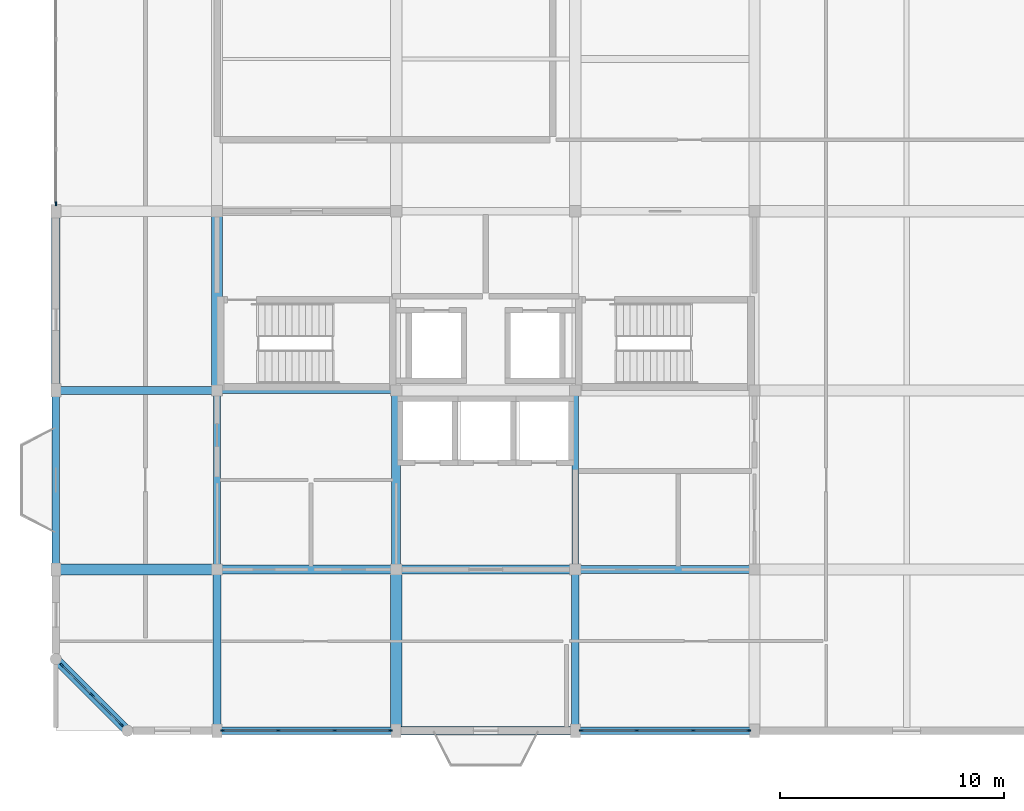
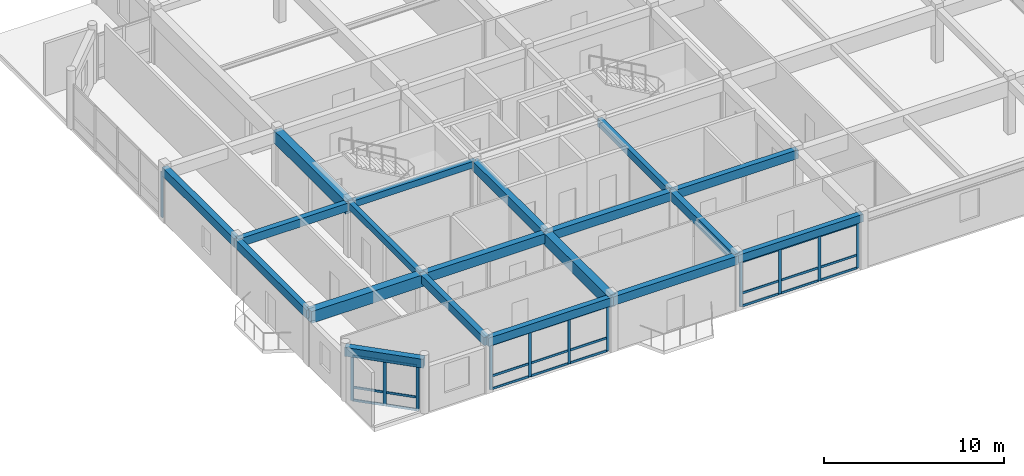
# One storey, part 2 of 12: 36 members, 19 beams, 4 elements without a shape of their own.
"""IFC4 building model written with IfcOpenShell, lengths in metres."""

import ifcopenshell
import ifcopenshell.guid

model = None  # the IFC model being written
_history = None  # IfcOwnerHistory: only IFC2X3 demands one
_inside = {}  # id of a spatial element -> (the spatial element, [elements in it])
_under = {}  # id of a project, library or spatial element -> (it, [spatial elements below it])
_declared = {}  # id of a project -> (the project, [libraries it declares])
_typed = {}  # id of a type object -> (the type object, [elements of that type])
_made_of = {}  # id of a material, layer set ... -> (it, [elements and type objects made of it])


def new_model(schema):
    """Start an empty IFC model of exactly this schema.

    Asked for "IFC4X3", IfcOpenShell would pick the latest addendum, in which some entities
    have other attributes; the version numbers below select the first issue.
    IFC2X3 requires an IfcOwnerHistory on every rooted entity: one is made here for all.
    """
    global model, _history
    if schema == "IFC4X3":
        model = ifcopenshell.file(schema_version=(4, 3, 0, 0))
    else:
        model = ifcopenshell.file(schema=schema)
    _inside.clear()
    _under.clear()
    _declared.clear()
    _typed.clear()
    _made_of.clear()
    _history = None
    if model.schema == "IFC2X3":
        org = make("IfcOrganization", Name="unknown")
        user = make(
            "IfcPersonAndOrganization",
            ThePerson=make("IfcPerson", FamilyName="unknown"),
            TheOrganization=org,
        )
        app = make(
            "IfcApplication",
            ApplicationDeveloper=org,
            Version="unknown",
            ApplicationFullName="unknown",
            ApplicationIdentifier="unknown",
        )
        _history = make(
            "IfcOwnerHistory",
            OwningUser=user,
            OwningApplication=app,
            ChangeAction="ADDED",
            CreationDate=0,
        )
    return model


def make(cls, **values):
    """One entity of the class cls with the attributes given. An attribute that is None is left unset."""
    return model.create_entity(
        cls, **{name: value for name, value in values.items() if value is not None}
    )


def rooted(cls, **values):
    """An entity with a GlobalId (a new one), such as an element, a storey or a relation."""
    return make(cls, GlobalId=ifcopenshell.guid.new(), OwnerHistory=_history, **values)


def si_unit(unit_type, name, prefix=None):
    """IfcSIUnit, for example si_unit("LENGTHUNIT", "METRE", prefix="MILLI")."""
    return make("IfcSIUnit", UnitType=unit_type, Prefix=prefix, Name=name)


def assignment(units):
    """IfcUnitAssignment: the units of a project."""
    return None if units is None else make("IfcUnitAssignment", Units=units)


def point(xyz):
    """IfcCartesianPoint."""
    return None if xyz is None else make("IfcCartesianPoint", Coordinates=xyz)


def direction(xyz):
    """IfcDirection."""
    return None if xyz is None else make("IfcDirection", DirectionRatios=xyz)


def frame(location, z_axis=None, x_axis=None):
    """IfcAxis2Placement3D, a coordinate frame: its origin and axes. An axis left out is left unset."""
    return make(
        "IfcAxis2Placement3D",
        Location=point(location),
        Axis=direction(z_axis),
        RefDirection=direction(x_axis),
    )


def frame_2d(location, x_axis=None):
    """IfcAxis2Placement2D, a coordinate frame in the plane: its origin and x axis."""
    return make(
        "IfcAxis2Placement2D", Location=point(location), RefDirection=direction(x_axis)
    )


def origin():
    """The frame at (0, 0, 0) with its axes left unset."""
    return frame((0.0, 0.0, 0.0))


def origin_2d():
    """The frame at (0, 0) in the plane with its x axis left unset."""
    return frame_2d((0.0, 0.0))


def place(relative_to, where):
    """IfcLocalPlacement: puts the frame where relative to a parent placement (None: the world)."""
    return make(
        "IfcLocalPlacement", PlacementRelTo=relative_to, RelativePlacement=where
    )


def context(
    kind, dimensions, precision=None, world=None, true_north=None, identifier=None
):
    """IfcGeometricRepresentationContext, for example the 3D "Model" context."""
    return make(
        "IfcGeometricRepresentationContext",
        ContextIdentifier=identifier,
        ContextType=kind,
        CoordinateSpaceDimension=dimensions,
        Precision=precision,
        WorldCoordinateSystem=world,
        TrueNorth=true_north,
    )


def subcontext(parent, identifier, kind, view, scale=None):
    """IfcGeometricRepresentationSubContext, for example "Body" below "Model"."""
    return make(
        "IfcGeometricRepresentationSubContext",
        ContextIdentifier=identifier,
        ContextType=kind,
        ParentContext=parent,
        TargetScale=scale,
        TargetView=view,
    )


def project(units=None, contexts=None):
    """IfcProject with its units and contexts."""
    return rooted(
        "IfcProject",
        Name="project",
        RepresentationContexts=contexts,
        UnitsInContext=assignment(units),
    )


def spatial(cls, under=None, at=None, **own):
    """A site, building, storey or space (cls), placed at a placement, below another one or the project."""
    s = rooted(cls, ObjectPlacement=at, **own)
    if under is not None:
        _under.setdefault(under.id(), (under, []))[1].append(s)
    return s


def profile(cls, at=None, kind="AREA", **sizes):
    """A parametric profile (cls). Its sizes go by their IFC names, for example OverallWidth=200.0."""
    return make(cls, ProfileType=kind, Position=at, **sizes)


def rectangle(**sizes):
    """IfcRectangleProfileDef."""
    return profile("IfcRectangleProfileDef", **sizes)


def extrude(swept, where, along, depth):
    """IfcExtrudedAreaSolid: the profile swept, set in the frame where, extruded along a direction by depth."""
    return make(
        "IfcExtrudedAreaSolid",
        SweptArea=swept,
        Position=where,
        ExtrudedDirection=direction(along),
        Depth=depth,
    )


def shape(context_of_items, identifier, shape_type, items):
    """IfcShapeRepresentation: the items that make up one representation, for example the "Body"."""
    return make(
        "IfcShapeRepresentation",
        ContextOfItems=context_of_items,
        RepresentationIdentifier=identifier,
        RepresentationType=shape_type,
        Items=items,
    )


def material(Name=None, Category=None):
    """IfcMaterial."""
    return make("IfcMaterial", Name=Name, Category=Category)


def material_profile(
    of_material, cross_section, Name=None, Category=None, Priority=None
):
    """IfcMaterialProfile: a cross section and its material."""
    return make(
        "IfcMaterialProfile",
        Name=Name,
        Material=of_material,
        Profile=cross_section,
        Priority=Priority,
        Category=Category,
    )


def profile_set(profiles, Name=None, composite=None):
    """IfcMaterialProfileSet."""
    return make(
        "IfcMaterialProfileSet",
        Name=Name,
        MaterialProfiles=profiles,
        CompositeProfile=composite,
    )


def made_of(thing, what):
    """Note that an element or type object is made of a material, layer set ...; save() writes the relation."""
    if what is not None:
        _made_of.setdefault(what.id(), (what, []))[1].append(thing)
    return thing


def type_object(cls, material=None, **own):
    """A type object (cls), such as IfcWallType, which elements share."""
    return made_of(rooted(cls, **own), material)


def element(
    cls,
    number,
    at=None,
    inside=None,
    cuts=None,
    type_object=None,
    material=None,
    context=None,
    identifier="Body",
    shape_type=None,
    held_by="IfcProductDefinitionShape",
    body=None,
    shapes=None,
    **own,
):
    """One element of the class cls, such as IfcWall. Its Tag is "e" and its number.

    at: its placement. inside: the storey or other place that contains it. cuts: it is an
    opening in that element (IfcRelVoidsElement). A single representation is given by context,
    identifier, shape_type and body (its items); several are given by shapes. held_by: the class
    of the entity that holds the representations. save() writes the other relations.
    """
    e = rooted(cls, Tag="e%d" % number, ObjectPlacement=at, **own)
    if body is not None:
        shapes = [shape(context, identifier, shape_type, body)]
    if shapes is not None:
        e.Representation = make(held_by, Representations=shapes)
    if inside is not None:
        _inside.setdefault(inside.id(), (inside, []))[1].append(e)
    if cuts is not None:
        rooted(
            "IfcRelVoidsElement", RelatingBuildingElement=cuts, RelatedOpeningElement=e
        )
    if type_object is not None:
        _typed.setdefault(type_object.id(), (type_object, []))[1].append(e)
    return made_of(e, material)


def aggregate(whole, parts):
    """IfcRelAggregates: a whole, such as a stair, and the parts it consists of."""
    return rooted("IfcRelAggregates", RelatingObject=whole, RelatedObjects=parts)


def save(model, path):
    """Write the relations noted so far, then the file.

    IfcRelAggregates (storeys below a building ...), IfcRelContainedInSpatialStructure (elements
    in a storey), IfcRelDefinesByType, IfcRelAssociatesMaterial and IfcRelDeclares: one each for
    every whole, place, type object, material and project.
    """
    for whole, parts in _under.values():
        aggregate(whole, parts)
    for where, things in _inside.values():
        rooted(
            "IfcRelContainedInSpatialStructure",
            RelatedElements=things,
            RelatingStructure=where,
        )
    for kind, things in _typed.values():
        rooted("IfcRelDefinesByType", RelatedObjects=things, RelatingType=kind)
    for what, things in _made_of.values():
        rooted("IfcRelAssociatesMaterial", RelatedObjects=things, RelatingMaterial=what)
    for by, libraries in _declared.values():
        rooted("IfcRelDeclares", RelatingContext=by, RelatedDefinitions=libraries)
    model.write(path)


model = new_model("IFC4")

# Units and contexts
model_context = context("Model", 3, precision=1e-05, world=origin(), true_north=direction((0.0, 1.0)))
body_context = subcontext(model_context, "Body", "Model", "MODEL_VIEW")
ifc_project = project(units=[si_unit("LENGTHUNIT", "METRE"), si_unit("AREAUNIT", "SQUARE_METRE"), si_unit("VOLUMEUNIT", "CUBIC_METRE"), si_unit("PLANEANGLEUNIT", "RADIAN"), si_unit("MASSUNIT", "GRAM", prefix="KILO")], contexts=[model_context])

# Site, building, storey
site_placement = place(None, origin())
site = spatial("IfcSite", under=ifc_project, at=site_placement, CompositionType="ELEMENT")
building_placement = place(site_placement, origin())
building = spatial("IfcBuilding", under=site, at=building_placement, Name="Vellmiral Cinema and Media Centre", CompositionType="ELEMENT")
storey_placement = place(building_placement, frame((0.0, 0.0, 62.64990234375)))
storey = spatial("IfcBuildingStorey", under=building, at=storey_placement, Name="L15", CompositionType="ELEMENT", Elevation=62.64990234375)

# Beams
ifc_material_1 = material(Name="Concrete C40/50", Category="concrete")
ifc_material_profile_1 = material_profile(ifc_material_1, rectangle(XDim=0.300048828125, YDim=0.449951171875, at=origin_2d()), Name="RC 300x450")
ifc_profile_set_1 = profile_set([ifc_material_profile_1], Name="Concrete C40/50")
beam_type_1 = type_object("IfcBeamType", Name="BM-RC-300x450", PredefinedType="BEAM", material=ifc_profile_set_1)
for number, where, z_axis, x_axis, name in (
    (1, (124.0, 87.199951171875, 3.420166015625), (1.0, 0.0, 0.0), (0.0, 1.0, 0.0), "Grid Beam L15-X012"),
    (2, (124.0, 79.199951171875, 3.420166015625), (0.0, 1.0, 0.0), (-1.0, 0.0, 0.0), "Grid Beam L15-Y034"),
):
    element("IfcBeam", number, at=place(storey_placement, frame(where, z_axis=z_axis, x_axis=x_axis)), inside=storey, type_object=beam_type_1, Name=name, PredefinedType="BEAM", context=body_context, shape_type="SweptSolid", body=[
        extrude(rectangle(XDim=0.300048828125, YDim=0.449951171875, at=origin_2d()), origin(), (0.0, 0.0, 1.0), 8.0),
    ])
ifc_material_2 = material(Name="Concrete C40/50", Category="concrete")
ifc_material_profile_2 = material_profile(ifc_material_2, rectangle(XDim=0.300048828125, YDim=0.5, at=origin_2d()), Name="RC 300x500")
ifc_profile_set_2 = profile_set([ifc_material_profile_2], Name="Concrete C40/50")
beam_type_2 = type_object("IfcBeamType", Name="BM-RC-300x500", PredefinedType="BEAM", material=ifc_profile_set_2)
beam_1_placement = place(storey_placement, frame((140.0, 79.199951171875, 3.39501953125), z_axis=(0.0, 1.0, 0.0), x_axis=(-1.0, 0.0, 0.0)))
element("IfcBeam", 3, at=beam_1_placement, inside=storey, type_object=beam_type_2, Name="Grid Beam L15-Y044", PredefinedType="BEAM", context=body_context, shape_type="SweptSolid", body=[
    extrude(rectangle(XDim=0.300048828125, YDim=0.5, at=origin_2d()), origin(), (0.0, 0.0, 1.0), 8.0),
])
ifc_material_3 = material(Name="Concrete C40/50", Category="concrete")
ifc_material_profile_3 = material_profile(ifc_material_3, rectangle(XDim=0.35009765625, YDim=0.550048828125, at=origin_2d()), Name="RC 350x550")
ifc_profile_set_3 = profile_set([ifc_material_profile_3], Name="Concrete C40/50")
beam_type_3 = type_object("IfcBeamType", Name="BM-RC-350x550", PredefinedType="BEAM", material=ifc_profile_set_3)
for number, where, z_axis, x_axis, name in (
    (4, (116.800048828125, 87.199951171875, 3.3701171875), (1.0, 0.0, 0.0), (0.0, 1.0, 0.0), "Grid Beam L15-X011"),
    (5, (124.0, 72.0, 3.3701171875), (0.0, 1.0, 0.0), (-1.0, 0.0, 0.0), "Grid Beam L15-Y033"),
):
    element("IfcBeam", number, at=place(storey_placement, frame(where, z_axis=z_axis, x_axis=x_axis)), inside=storey, type_object=beam_type_3, Name=name, PredefinedType="BEAM", context=body_context, shape_type="SweptSolid", body=[
        extrude(rectangle(XDim=0.35009765625, YDim=0.550048828125, at=origin_2d()), origin(), (0.0, 0.0, 1.0), 7.199951171875),
    ])
ifc_material_4 = material(Name="Concrete C40/50", Category="concrete")
ifc_material_profile_4 = material_profile(ifc_material_4, rectangle(XDim=0.35009765625, YDim=0.60009765625, at=origin_2d()), Name="RC 350x600")
ifc_profile_set_4 = profile_set([ifc_material_profile_4], Name="Concrete C40/50")
beam_type_4 = type_object("IfcBeamType", Name="BM-RC-350x600", PredefinedType="BEAM", material=ifc_profile_set_4)
beam_2_placement = place(storey_placement, frame((140.0, 79.199951171875, 3.34521484375), z_axis=(1.0, 0.0, 0.0), x_axis=(0.0, 1.0, 0.0)))
element("IfcBeam", 6, at=beam_2_placement, inside=storey, type_object=beam_type_4, Name="Grid Beam L15-X008", PredefinedType="BEAM", context=body_context, shape_type="SweptSolid", body=[
    extrude(rectangle(XDim=0.35009765625, YDim=0.60009765625, at=origin_2d()), origin(), (0.0, 0.0, 1.0), 8.0),
])
beam_3_placement = place(storey_placement, frame((140.0, 72.0, 3.34521484375), z_axis=(0.0, 1.0, 0.0), x_axis=(-1.0, 0.0, 0.0)))
element("IfcBeam", 7, at=beam_3_placement, inside=storey, type_object=beam_type_4, Name="Grid Beam L15-Y043", PredefinedType="BEAM", context=body_context, shape_type="SweptSolid", body=[
    extrude(rectangle(XDim=0.35009765625, YDim=0.60009765625, at=origin_2d()), origin(), (0.0, 0.0, 1.0), 7.199951171875),
])
ifc_material_5 = material(Name="Concrete C40/50", Category="concrete")
ifc_material_profile_5 = material_profile(ifc_material_5, rectangle(XDim=0.39990234375, YDim=0.60009765625, at=origin_2d()), Name="RC 400x600")
ifc_profile_set_5 = profile_set([ifc_material_profile_5], Name="Concrete C40/50")
beam_type_5 = type_object("IfcBeamType", Name="BM-RC-400x600", PredefinedType="BEAM", material=ifc_profile_set_5)
beam_4_placement = place(storey_placement, frame((132.0, 79.199951171875, 3.34521484375), z_axis=(1.0, 0.0, 0.0), x_axis=(0.0, 1.0, 0.0)))
element("IfcBeam", 8, at=beam_4_placement, inside=storey, type_object=beam_type_5, Name="Grid Beam L15-X007", PredefinedType="BEAM", context=body_context, shape_type="SweptSolid", body=[
    extrude(rectangle(XDim=0.39990234375, YDim=0.60009765625, at=origin_2d()), origin(), (0.0, 0.0, 1.0), 8.0),
])
ifc_material_6 = material(Name="Concrete C40/50", Category="concrete")
ifc_material_profile_6 = material_profile(ifc_material_6, rectangle(XDim=0.39990234375, YDim=0.64990234375, at=origin_2d()), Name="RC 400x650")
ifc_profile_set_6 = profile_set([ifc_material_profile_6], Name="Concrete C40/50")
beam_type_6 = type_object("IfcBeamType", Name="BM-RC-400x650", PredefinedType="BEAM", material=ifc_profile_set_6)
for number, where, z_axis, x_axis, name in (
    (9, (124.0, 79.199951171875, 3.320068359375), (1.0, 0.0, 0.0), (0.0, 1.0, 0.0), "Grid Beam L15-X006"),
    (10, (132.0, 79.199951171875, 3.320068359375), (0.0, 1.0, 0.0), (-1.0, 0.0, 0.0), "Grid Beam L15-Y039"),
):
    element("IfcBeam", number, at=place(storey_placement, frame(where, z_axis=z_axis, x_axis=x_axis)), inside=storey, type_object=beam_type_6, Name=name, PredefinedType="BEAM", context=body_context, shape_type="SweptSolid", body=[
        extrude(rectangle(XDim=0.39990234375, YDim=0.64990234375, at=origin_2d()), origin(), (0.0, 0.0, 1.0), 8.0),
    ])
ifc_material_7 = material(Name="Concrete C40/50", Category="concrete")
ifc_material_profile_7 = material_profile(ifc_material_7, rectangle(XDim=0.5, YDim=0.800048828125, at=origin_2d()), Name="RC 500x800")
ifc_profile_set_7 = profile_set([ifc_material_profile_7], Name="Concrete C40/50")
beam_type_7 = type_object("IfcBeamType", Name="BM-RC-500x800", PredefinedType="BEAM", material=ifc_profile_set_7)
for number, where, z_axis, x_axis, name in (
    (11, (116.800048828125, 79.199951171875, 3.2451171875), (1.0, 0.0, 0.0), (0.0, 1.0, 0.0), "Grid Beam L15-X005"),
    (12, (132.0, 72.0, 3.2451171875), (0.0, 1.0, 0.0), (-1.0, 0.0, 0.0), "Grid Beam L15-Y038"),
):
    element("IfcBeam", number, at=place(storey_placement, frame(where, z_axis=z_axis, x_axis=x_axis)), inside=storey, type_object=beam_type_7, Name=name, PredefinedType="BEAM", context=body_context, shape_type="SweptSolid", body=[
        extrude(rectangle(XDim=0.5, YDim=0.800048828125, at=origin_2d()), origin(), (0.0, 0.0, 1.0), 7.199951171875),
    ])
ifc_material_8 = material(Name="Concrete C40/50", Category="concrete")
ifc_material_profile_8 = material_profile(ifc_material_8, rectangle(XDim=0.5, YDim=0.85009765625, at=origin_2d()), Name="RC 500x850")
ifc_profile_set_8 = profile_set([ifc_material_profile_8], Name="Concrete C40/50")
beam_type_8 = type_object("IfcBeamType", Name="BM-RC-500x850", PredefinedType="BEAM", material=ifc_profile_set_8)
beam_5_placement = place(storey_placement, frame((124.0, 87.199951171875, 3.22021484375), z_axis=(0.0, 1.0, 0.0), x_axis=(-1.0, 0.0, 0.0)))
element("IfcBeam", 13, at=beam_5_placement, inside=storey, type_object=beam_type_8, Name="Grid Beam L15-Y035", PredefinedType="BEAM", context=body_context, shape_type="SweptSolid", body=[
    extrude(rectangle(XDim=0.5, YDim=0.85009765625, at=origin_2d()), origin(), (0.0, 0.0, 1.0), 8.0),
])

# Curtain wall, members
ifc_material_9 = material(Name="Thermally Broken Aluminium and Triple Glazing", Category="aluminium")
curtain_wall_type = type_object("IfcCurtainWallType", Name="CW-CROWN-LANTERN", PredefinedType="USERDEFINED", material=ifc_material_9)
curtain_wall_1_placement = place(storey_placement, origin())
curtain_wall_1 = element("IfcCurtainWall", 14, at=curtain_wall_1_placement, inside=storey, type_object=curtain_wall_type, Name="Curtain Wall L15-B002", ObjectType="STICK CURTAIN WALL", PredefinedType="USERDEFINED")
ifc_material_10 = material(Name="Thermally Broken Anodised Aluminium", Category="aluminium")
ifc_material_profile_9 = material_profile(ifc_material_10, rectangle(XDim=0.070068359375, YDim=0.179931640625, at=origin_2d()), Name="MULL 70x180")
ifc_profile_set_9 = profile_set([ifc_material_profile_9], Name="Thermally Broken Anodised Aluminium")
member_type_1 = type_object("IfcMemberType", Name="CWM-70x180", PredefinedType="MULLION", material=ifc_profile_set_9)
member_1_placement = place(storey_placement, frame((124.260009765625, 72.0, 0.0), z_axis=(0.0, 0.0, 1.0), x_axis=(0.0, 1.0, 0.0)))
member_1 = element("IfcMember", 15, at=member_1_placement, type_object=member_type_1, Name="CW-10 mullion 1", PredefinedType="MULLION", context=body_context, shape_type="SweptSolid", body=[
    extrude(rectangle(XDim=0.070068359375, YDim=0.179931640625, at=origin_2d()), origin(), (0.0, 0.0, 1.0), 3.050048828125),
])
member_2_placement = place(storey_placement, frame((126.74169921875, 72.0, 0.0), z_axis=(0.0, 0.0, 1.0), x_axis=(0.0, 1.0, 0.0)))
member_2 = element("IfcMember", 16, at=member_2_placement, type_object=member_type_1, Name="CW-10 mullion 2", PredefinedType="MULLION", context=body_context, shape_type="SweptSolid", body=[
    extrude(rectangle(XDim=0.070068359375, YDim=0.179931640625, at=origin_2d()), origin(), (0.0, 0.0, 1.0), 3.050048828125),
])
member_3_placement = place(storey_placement, frame((129.25830078125, 72.0, 0.0), z_axis=(0.0, 0.0, 1.0), x_axis=(0.0, 1.0, 0.0)))
member_3 = element("IfcMember", 17, at=member_3_placement, type_object=member_type_1, Name="CW-10 mullion 3", PredefinedType="MULLION", context=body_context, shape_type="SweptSolid", body=[
    extrude(rectangle(XDim=0.070068359375, YDim=0.179931640625, at=origin_2d()), origin(), (0.0, 0.0, 1.0), 3.050048828125),
])
member_4_placement = place(storey_placement, frame((131.739990234375, 72.0, 0.0), z_axis=(0.0, 0.0, 1.0), x_axis=(0.0, 1.0, 0.0)))
member_4 = element("IfcMember", 18, at=member_4_placement, type_object=member_type_1, Name="CW-10 mullion 4", PredefinedType="MULLION", context=body_context, shape_type="SweptSolid", body=[
    extrude(rectangle(XDim=0.070068359375, YDim=0.179931640625, at=origin_2d()), origin(), (0.0, 0.0, 1.0), 3.050048828125),
])

curtain_wall_2_placement = place(storey_placement, origin())
curtain_wall_2 = element("IfcCurtainWall", 19, at=curtain_wall_2_placement, inside=storey, type_object=curtain_wall_type, Name="Curtain Wall L15-B004", ObjectType="STICK CURTAIN WALL", PredefinedType="USERDEFINED")
member_5_placement = place(storey_placement, frame((140.260009765625, 72.0, 0.0), z_axis=(0.0, 0.0, 1.0), x_axis=(0.0, 1.0, 0.0)))
member_5 = element("IfcMember", 20, at=member_5_placement, type_object=member_type_1, Name="CW-10 mullion 1", PredefinedType="MULLION", context=body_context, shape_type="SweptSolid", body=[
    extrude(rectangle(XDim=0.070068359375, YDim=0.179931640625, at=origin_2d()), origin(), (0.0, 0.0, 1.0), 3.050048828125),
])
member_6_placement = place(storey_placement, frame((142.74169921875, 72.0, 0.0), z_axis=(0.0, 0.0, 1.0), x_axis=(0.0, 1.0, 0.0)))
member_6 = element("IfcMember", 21, at=member_6_placement, type_object=member_type_1, Name="CW-10 mullion 2", PredefinedType="MULLION", context=body_context, shape_type="SweptSolid", body=[
    extrude(rectangle(XDim=0.070068359375, YDim=0.179931640625, at=origin_2d()), origin(), (0.0, 0.0, 1.0), 3.050048828125),
])
member_7_placement = place(storey_placement, frame((145.25830078125, 72.0, 0.0), z_axis=(0.0, 0.0, 1.0), x_axis=(0.0, 1.0, 0.0)))
member_7 = element("IfcMember", 22, at=member_7_placement, type_object=member_type_1, Name="CW-10 mullion 3", PredefinedType="MULLION", context=body_context, shape_type="SweptSolid", body=[
    extrude(rectangle(XDim=0.070068359375, YDim=0.179931640625, at=origin_2d()), origin(), (0.0, 0.0, 1.0), 3.050048828125),
])
member_8_placement = place(storey_placement, frame((147.739990234375, 72.0, 0.0), z_axis=(0.0, 0.0, 1.0), x_axis=(0.0, 1.0, 0.0)))
member_8 = element("IfcMember", 23, at=member_8_placement, type_object=member_type_1, Name="CW-10 mullion 4", PredefinedType="MULLION", context=body_context, shape_type="SweptSolid", body=[
    extrude(rectangle(XDim=0.070068359375, YDim=0.179931640625, at=origin_2d()), origin(), (0.0, 0.0, 1.0), 3.050048828125),
])

# Curtain wall, member
curtain_wall_3_placement = place(storey_placement, origin())
curtain_wall_3 = element("IfcCurtainWall", 24, at=curtain_wall_3_placement, inside=storey, type_object=curtain_wall_type, Name="Curtain Wall L15-B022", ObjectType="STICK CURTAIN WALL", PredefinedType="USERDEFINED")
member_9_placement = place(storey_placement, frame((116.800048828125, 95.534912109375, 0.0), z_axis=(0.0, 0.0, 1.0), x_axis=(1.0, 0.0, 0.0)))
member_9 = element("IfcMember", 25, at=member_9_placement, type_object=member_type_1, Name="CW-10 mullion 5", PredefinedType="MULLION", context=body_context, shape_type="SweptSolid", body=[
    extrude(rectangle(XDim=0.070068359375, YDim=0.179931640625, at=origin_2d()), origin(), (0.0, 0.0, 1.0), 3.050048828125),
])
aggregate(curtain_wall_3, [member_9])

# Curtain wall, members
curtain_wall_4_placement = place(storey_placement, origin())
curtain_wall_4 = element("IfcCurtainWall", 26, at=curtain_wall_4_placement, inside=storey, type_object=curtain_wall_type, Name="Curtain Wall L15-B026", ObjectType="STICK CURTAIN WALL", PredefinedType="USERDEFINED")
member_10_placement = place(storey_placement, frame((117.07470703125, 74.92529296875, 0.0), z_axis=(0.0, 0.0, 1.0), x_axis=(0.707106781187, 0.707106781187, 0.0)))
member_10 = element("IfcMember", 27, at=member_10_placement, type_object=member_type_1, Name="CW-10 mullion 1", PredefinedType="MULLION", context=body_context, shape_type="SweptSolid", body=[
    extrude(rectangle(XDim=0.070068359375, YDim=0.179931640625, at=origin_2d()), origin(), (0.0, 0.0, 1.0), 3.050048828125),
])
member_11_placement = place(storey_placement, frame((118.39990234375, 73.60009765625, 0.0), z_axis=(0.0, 0.0, 1.0), x_axis=(0.707106781187, 0.707106781187, 0.0)))
member_11 = element("IfcMember", 28, at=member_11_placement, type_object=member_type_1, Name="CW-10 mullion 2", PredefinedType="MULLION", context=body_context, shape_type="SweptSolid", body=[
    extrude(rectangle(XDim=0.070068359375, YDim=0.179931640625, at=origin_2d()), origin(), (0.0, 0.0, 1.0), 3.050048828125),
])
member_12_placement = place(storey_placement, frame((119.725341796875, 72.274658203125, 0.0), z_axis=(0.0, 0.0, 1.0), x_axis=(0.707106781187, 0.707106781187, 0.0)))
member_12 = element("IfcMember", 29, at=member_12_placement, type_object=member_type_1, Name="CW-10 mullion 3", PredefinedType="MULLION", context=body_context, shape_type="SweptSolid", body=[
    extrude(rectangle(XDim=0.070068359375, YDim=0.179931640625, at=origin_2d()), origin(), (0.0, 0.0, 1.0), 3.050048828125),
])

# Member
ifc_material_11 = material(Name="Thermally Broken Anodised Aluminium", Category="aluminium")
ifc_material_profile_10 = material_profile(ifc_material_11, rectangle(XDim=0.070068359375, YDim=0.14990234375, at=origin_2d()), Name="MULL 70x150")
ifc_profile_set_10 = profile_set([ifc_material_profile_10], Name="Thermally Broken Anodised Aluminium")
member_type_2 = type_object("IfcMemberType", Name="CWT-70x150", PredefinedType="USERDEFINED", material=ifc_profile_set_10)
member_13_placement = place(storey_placement, frame((124.294921875, 72.0, 0.03515625), z_axis=(1.0, 0.0, 0.0), x_axis=(0.0, 1.0, 0.0)))
member_13 = element("IfcMember", 30, at=member_13_placement, type_object=member_type_2, Name="CW-10 transom 1.1", ObjectType="TRANSOM", PredefinedType="USERDEFINED", context=body_context, shape_type="SweptSolid", body=[
    extrude(rectangle(XDim=0.070068359375, YDim=0.14990234375, at=origin_2d()), origin(), (0.0, 0.0, 1.0), 2.411865234375),
])

member_14_placement = place(storey_placement, frame((124.294921875, 72.0, 0.900146484375), z_axis=(1.0, 0.0, 0.0), x_axis=(0.0, 1.0, 0.0)))
member_14 = element("IfcMember", 31, at=member_14_placement, type_object=member_type_2, Name="CW-10 transom 1.2", ObjectType="TRANSOM", PredefinedType="USERDEFINED", context=body_context, shape_type="SweptSolid", body=[
    extrude(rectangle(XDim=0.070068359375, YDim=0.14990234375, at=origin_2d()), origin(), (0.0, 0.0, 1.0), 2.411865234375),
])

member_15_placement = place(storey_placement, frame((124.294921875, 72.0, 3.01513671875), z_axis=(1.0, 0.0, 0.0), x_axis=(0.0, 1.0, 0.0)))
member_15 = element("IfcMember", 32, at=member_15_placement, type_object=member_type_2, Name="CW-10 transom 1.3", ObjectType="TRANSOM", PredefinedType="USERDEFINED", context=body_context, shape_type="SweptSolid", body=[
    extrude(rectangle(XDim=0.070068359375, YDim=0.14990234375, at=origin_2d()), origin(), (0.0, 0.0, 1.0), 2.411865234375),
])

member_16_placement = place(storey_placement, frame((126.776611328125, 72.0, 0.03515625), z_axis=(1.0, 0.0, 0.0), x_axis=(0.0, 1.0, 0.0)))
member_16 = element("IfcMember", 33, at=member_16_placement, type_object=member_type_2, Name="CW-10 transom 2.1", ObjectType="TRANSOM", PredefinedType="USERDEFINED", context=body_context, shape_type="SweptSolid", body=[
    extrude(rectangle(XDim=0.070068359375, YDim=0.14990234375, at=origin_2d()), origin(), (0.0, 0.0, 1.0), 2.44677734375),
])

member_17_placement = place(storey_placement, frame((126.776611328125, 72.0, 0.900146484375), z_axis=(1.0, 0.0, 0.0), x_axis=(0.0, 1.0, 0.0)))
member_17 = element("IfcMember", 34, at=member_17_placement, type_object=member_type_2, Name="CW-10 transom 2.2", ObjectType="TRANSOM", PredefinedType="USERDEFINED", context=body_context, shape_type="SweptSolid", body=[
    extrude(rectangle(XDim=0.070068359375, YDim=0.14990234375, at=origin_2d()), origin(), (0.0, 0.0, 1.0), 2.44677734375),
])

member_18_placement = place(storey_placement, frame((126.776611328125, 72.0, 3.01513671875), z_axis=(1.0, 0.0, 0.0), x_axis=(0.0, 1.0, 0.0)))
member_18 = element("IfcMember", 35, at=member_18_placement, type_object=member_type_2, Name="CW-10 transom 2.3", ObjectType="TRANSOM", PredefinedType="USERDEFINED", context=body_context, shape_type="SweptSolid", body=[
    extrude(rectangle(XDim=0.070068359375, YDim=0.14990234375, at=origin_2d()), origin(), (0.0, 0.0, 1.0), 2.44677734375),
])

member_19_placement = place(storey_placement, frame((129.293212890625, 72.0, 0.03515625), z_axis=(1.0, 0.0, 0.0), x_axis=(0.0, 1.0, 0.0)))
member_19 = element("IfcMember", 36, at=member_19_placement, type_object=member_type_2, Name="CW-10 transom 3.1", ObjectType="TRANSOM", PredefinedType="USERDEFINED", context=body_context, shape_type="SweptSolid", body=[
    extrude(rectangle(XDim=0.070068359375, YDim=0.14990234375, at=origin_2d()), origin(), (0.0, 0.0, 1.0), 2.411865234375),
])

member_20_placement = place(storey_placement, frame((129.293212890625, 72.0, 0.900146484375), z_axis=(1.0, 0.0, 0.0), x_axis=(0.0, 1.0, 0.0)))
member_20 = element("IfcMember", 37, at=member_20_placement, type_object=member_type_2, Name="CW-10 transom 3.2", ObjectType="TRANSOM", PredefinedType="USERDEFINED", context=body_context, shape_type="SweptSolid", body=[
    extrude(rectangle(XDim=0.070068359375, YDim=0.14990234375, at=origin_2d()), origin(), (0.0, 0.0, 1.0), 2.411865234375),
])

member_21_placement = place(storey_placement, frame((129.293212890625, 72.0, 3.01513671875), z_axis=(1.0, 0.0, 0.0), x_axis=(0.0, 1.0, 0.0)))
member_21 = element("IfcMember", 38, at=member_21_placement, type_object=member_type_2, Name="CW-10 transom 3.3", ObjectType="TRANSOM", PredefinedType="USERDEFINED", context=body_context, shape_type="SweptSolid", body=[
    extrude(rectangle(XDim=0.070068359375, YDim=0.14990234375, at=origin_2d()), origin(), (0.0, 0.0, 1.0), 2.411865234375),
])

aggregate(curtain_wall_1, [member_1, member_2, member_3, member_4, member_13, member_14, member_15, member_16, member_17, member_18, member_19, member_20, member_21])

member_22_placement = place(storey_placement, frame((140.294921875, 72.0, 0.03515625), z_axis=(1.0, 0.0, 0.0), x_axis=(0.0, 1.0, 0.0)))
member_22 = element("IfcMember", 39, at=member_22_placement, type_object=member_type_2, Name="CW-10 transom 1.1", ObjectType="TRANSOM", PredefinedType="USERDEFINED", context=body_context, shape_type="SweptSolid", body=[
    extrude(rectangle(XDim=0.070068359375, YDim=0.14990234375, at=origin_2d()), origin(), (0.0, 0.0, 1.0), 2.411865234375),
])

member_23_placement = place(storey_placement, frame((140.294921875, 72.0, 0.900146484375), z_axis=(1.0, 0.0, 0.0), x_axis=(0.0, 1.0, 0.0)))
member_23 = element("IfcMember", 40, at=member_23_placement, type_object=member_type_2, Name="CW-10 transom 1.2", ObjectType="TRANSOM", PredefinedType="USERDEFINED", context=body_context, shape_type="SweptSolid", body=[
    extrude(rectangle(XDim=0.070068359375, YDim=0.14990234375, at=origin_2d()), origin(), (0.0, 0.0, 1.0), 2.411865234375),
])

member_24_placement = place(storey_placement, frame((140.294921875, 72.0, 3.01513671875), z_axis=(1.0, 0.0, 0.0), x_axis=(0.0, 1.0, 0.0)))
member_24 = element("IfcMember", 41, at=member_24_placement, type_object=member_type_2, Name="CW-10 transom 1.3", ObjectType="TRANSOM", PredefinedType="USERDEFINED", context=body_context, shape_type="SweptSolid", body=[
    extrude(rectangle(XDim=0.070068359375, YDim=0.14990234375, at=origin_2d()), origin(), (0.0, 0.0, 1.0), 2.411865234375),
])

member_25_placement = place(storey_placement, frame((142.776611328125, 72.0, 0.03515625), z_axis=(1.0, 0.0, 0.0), x_axis=(0.0, 1.0, 0.0)))
member_25 = element("IfcMember", 42, at=member_25_placement, type_object=member_type_2, Name="CW-10 transom 2.1", ObjectType="TRANSOM", PredefinedType="USERDEFINED", context=body_context, shape_type="SweptSolid", body=[
    extrude(rectangle(XDim=0.070068359375, YDim=0.14990234375, at=origin_2d()), origin(), (0.0, 0.0, 1.0), 2.44677734375),
])

member_26_placement = place(storey_placement, frame((142.776611328125, 72.0, 0.900146484375), z_axis=(1.0, 0.0, 0.0), x_axis=(0.0, 1.0, 0.0)))
member_26 = element("IfcMember", 43, at=member_26_placement, type_object=member_type_2, Name="CW-10 transom 2.2", ObjectType="TRANSOM", PredefinedType="USERDEFINED", context=body_context, shape_type="SweptSolid", body=[
    extrude(rectangle(XDim=0.070068359375, YDim=0.14990234375, at=origin_2d()), origin(), (0.0, 0.0, 1.0), 2.44677734375),
])

member_27_placement = place(storey_placement, frame((142.776611328125, 72.0, 3.01513671875), z_axis=(1.0, 0.0, 0.0), x_axis=(0.0, 1.0, 0.0)))
member_27 = element("IfcMember", 44, at=member_27_placement, type_object=member_type_2, Name="CW-10 transom 2.3", ObjectType="TRANSOM", PredefinedType="USERDEFINED", context=body_context, shape_type="SweptSolid", body=[
    extrude(rectangle(XDim=0.070068359375, YDim=0.14990234375, at=origin_2d()), origin(), (0.0, 0.0, 1.0), 2.44677734375),
])

member_28_placement = place(storey_placement, frame((145.293212890625, 72.0, 0.03515625), z_axis=(1.0, 0.0, 0.0), x_axis=(0.0, 1.0, 0.0)))
member_28 = element("IfcMember", 45, at=member_28_placement, type_object=member_type_2, Name="CW-10 transom 3.1", ObjectType="TRANSOM", PredefinedType="USERDEFINED", context=body_context, shape_type="SweptSolid", body=[
    extrude(rectangle(XDim=0.070068359375, YDim=0.14990234375, at=origin_2d()), origin(), (0.0, 0.0, 1.0), 2.411865234375),
])

member_29_placement = place(storey_placement, frame((145.293212890625, 72.0, 0.900146484375), z_axis=(1.0, 0.0, 0.0), x_axis=(0.0, 1.0, 0.0)))
member_29 = element("IfcMember", 46, at=member_29_placement, type_object=member_type_2, Name="CW-10 transom 3.2", ObjectType="TRANSOM", PredefinedType="USERDEFINED", context=body_context, shape_type="SweptSolid", body=[
    extrude(rectangle(XDim=0.070068359375, YDim=0.14990234375, at=origin_2d()), origin(), (0.0, 0.0, 1.0), 2.411865234375),
])

member_30_placement = place(storey_placement, frame((145.293212890625, 72.0, 3.01513671875), z_axis=(1.0, 0.0, 0.0), x_axis=(0.0, 1.0, 0.0)))
member_30 = element("IfcMember", 47, at=member_30_placement, type_object=member_type_2, Name="CW-10 transom 3.3", ObjectType="TRANSOM", PredefinedType="USERDEFINED", context=body_context, shape_type="SweptSolid", body=[
    extrude(rectangle(XDim=0.070068359375, YDim=0.14990234375, at=origin_2d()), origin(), (0.0, 0.0, 1.0), 2.411865234375),
])

aggregate(curtain_wall_2, [member_5, member_6, member_7, member_8, member_22, member_23, member_24, member_25, member_26, member_27, member_28, member_29, member_30])

member_31_placement = place(storey_placement, frame((117.099609375, 74.900390625, 0.03515625), z_axis=(0.707106781187, -0.707106781187, 0.0), x_axis=(0.707106781187, 0.707106781187, 0.0)))
member_31 = element("IfcMember", 48, at=member_31_placement, type_object=member_type_2, Name="CW-10 transom 1.1", ObjectType="TRANSOM", PredefinedType="USERDEFINED", context=body_context, shape_type="SweptSolid", body=[
    extrude(rectangle(XDim=0.070068359375, YDim=0.14990234375, at=origin_2d()), origin(), (0.0, 0.0, 1.0), 1.803955078125),
])

member_32_placement = place(storey_placement, frame((117.099609375, 74.900390625, 0.900146484375), z_axis=(0.707106781187, -0.707106781187, 0.0), x_axis=(0.707106781187, 0.707106781187, 0.0)))
member_32 = element("IfcMember", 49, at=member_32_placement, type_object=member_type_2, Name="CW-10 transom 1.2", ObjectType="TRANSOM", PredefinedType="USERDEFINED", context=body_context, shape_type="SweptSolid", body=[
    extrude(rectangle(XDim=0.070068359375, YDim=0.14990234375, at=origin_2d()), origin(), (0.0, 0.0, 1.0), 1.803955078125),
])

member_33_placement = place(storey_placement, frame((117.099609375, 74.900390625, 3.01513671875), z_axis=(0.707106781187, -0.707106781187, 0.0), x_axis=(0.707106781187, 0.707106781187, 0.0)))
member_33 = element("IfcMember", 50, at=member_33_placement, type_object=member_type_2, Name="CW-10 transom 1.3", ObjectType="TRANSOM", PredefinedType="USERDEFINED", context=body_context, shape_type="SweptSolid", body=[
    extrude(rectangle(XDim=0.070068359375, YDim=0.14990234375, at=origin_2d()), origin(), (0.0, 0.0, 1.0), 1.803955078125),
])

member_34_placement = place(storey_placement, frame((118.4248046875, 73.5751953125, 0.03515625), z_axis=(0.707106781187, -0.707106781187, 0.0), x_axis=(0.707106781187, 0.707106781187, 0.0)))
member_34 = element("IfcMember", 51, at=member_34_placement, type_object=member_type_2, Name="CW-10 transom 2.1", ObjectType="TRANSOM", PredefinedType="USERDEFINED", context=body_context, shape_type="SweptSolid", body=[
    extrude(rectangle(XDim=0.070068359375, YDim=0.14990234375, at=origin_2d()), origin(), (0.0, 0.0, 1.0), 1.803955078125),
])

member_35_placement = place(storey_placement, frame((118.4248046875, 73.5751953125, 0.900146484375), z_axis=(0.707106781187, -0.707106781187, 0.0), x_axis=(0.707106781187, 0.707106781187, 0.0)))
member_35 = element("IfcMember", 52, at=member_35_placement, type_object=member_type_2, Name="CW-10 transom 2.2", ObjectType="TRANSOM", PredefinedType="USERDEFINED", context=body_context, shape_type="SweptSolid", body=[
    extrude(rectangle(XDim=0.070068359375, YDim=0.14990234375, at=origin_2d()), origin(), (0.0, 0.0, 1.0), 1.803955078125),
])

member_36_placement = place(storey_placement, frame((118.4248046875, 73.5751953125, 3.01513671875), z_axis=(0.707106781187, -0.707106781187, 0.0), x_axis=(0.707106781187, 0.707106781187, 0.0)))
member_36 = element("IfcMember", 53, at=member_36_placement, type_object=member_type_2, Name="CW-10 transom 2.3", ObjectType="TRANSOM", PredefinedType="USERDEFINED", context=body_context, shape_type="SweptSolid", body=[
    extrude(rectangle(XDim=0.070068359375, YDim=0.14990234375, at=origin_2d()), origin(), (0.0, 0.0, 1.0), 1.803955078125),
])

aggregate(curtain_wall_4, [member_10, member_11, member_12, member_31, member_32, member_33, member_34, member_35, member_36])

# Beams
ifc_material_12 = material(Name="Concrete C40/50", Category="concrete")
ifc_material_profile_11 = material_profile(ifc_material_12, rectangle(XDim=0.35009765625, YDim=0.56005859375, at=origin_2d()), Name="RC 350x560")
ifc_profile_set_11 = profile_set([ifc_material_profile_11], Name="Concrete C40/50")
beam_type_9 = type_object("IfcBeamType", Name="SPD-RC-350x560", PredefinedType="SPANDREL", material=ifc_profile_set_11)
for number, where, z_axis, x_axis, name in (
    (54, (124.0, 72.0, 3.364990234375), (1.0, 0.0, 0.0), (0.0, 1.0, 0.0), "Grid Beam L15-X001"),
    (55, (116.800048828125, 79.199951171875, 3.364990234375), (0.0, 1.0, 0.0), (-1.0, 0.0, 0.0), "Grid Beam L15-Y031"),
):
    element("IfcBeam", number, at=place(storey_placement, frame(where, z_axis=z_axis, x_axis=x_axis)), inside=storey, type_object=beam_type_9, Name=name, PredefinedType="SPANDREL", context=body_context, shape_type="SweptSolid", body=[
        extrude(rectangle(XDim=0.35009765625, YDim=0.56005859375, at=origin_2d()), origin(), (0.0, 0.0, 1.0), 8.0),
    ])
ifc_material_13 = material(Name="Concrete C40/50", Category="concrete")
ifc_material_profile_12 = material_profile(ifc_material_13, rectangle(XDim=0.39990234375, YDim=0.60009765625, at=origin_2d()), Name="RC 400x600")
ifc_profile_set_12 = profile_set([ifc_material_profile_12], Name="Concrete C40/50")
beam_type_10 = type_object("IfcBeamType", Name="SPD-RC-400x600", PredefinedType="SPANDREL", material=ifc_profile_set_12)
beam_6_placement = place(storey_placement, frame((116.800048828125, 75.199951171875, 3.34521484375), z_axis=(0.707106781187, -0.707106781187, 0.0), x_axis=(0.707106781187, 0.707106781187, 0.0)))
element("IfcBeam", 56, at=beam_6_placement, inside=storey, type_object=beam_type_10, Name="Xamfra Chamfer Spandrel Beam L15-060", PredefinedType="SPANDREL", context=body_context, shape_type="SweptSolid", body=[
    extrude(rectangle(XDim=0.39990234375, YDim=0.60009765625, at=origin_2d()), origin(), (0.0, 0.0, 1.0), 4.525390625),
])
ifc_material_14 = material(Name="Vosges Red Sandstone Masonry", Category="masonry")
ifc_material_profile_13 = material_profile(ifc_material_14, rectangle(XDim=0.340087890625, YDim=0.52001953125, at=origin_2d()), Name="SAND 340x520")
ifc_profile_set_13 = profile_set([ifc_material_profile_13], Name="Vosges Red Sandstone Masonry")
beam_type_11 = type_object("IfcBeamType", Name="SPD-SAND-340x520", PredefinedType="SPANDREL", material=ifc_profile_set_13)
beam_7_placement = place(storey_placement, frame((140.0, 72.0, 3.385009765625), z_axis=(1.0, 0.0, 0.0), x_axis=(0.0, 1.0, 0.0)))
element("IfcBeam", 57, at=beam_7_placement, inside=storey, type_object=beam_type_11, Name="Grid Beam L15-X003", PredefinedType="SPANDREL", context=body_context, shape_type="SweptSolid", body=[
    extrude(rectangle(XDim=0.340087890625, YDim=0.52001953125, at=origin_2d()), origin(), (0.0, 0.0, 1.0), 8.0),
])
ifc_material_15 = material(Name="Vosges Red Sandstone Masonry", Category="masonry")
ifc_material_profile_14 = material_profile(ifc_material_15, rectangle(XDim=0.3798828125, YDim=0.580078125, at=origin_2d()), Name="SAND 380x580")
ifc_profile_set_14 = profile_set([ifc_material_profile_14], Name="Vosges Red Sandstone Masonry")
beam_type_12 = type_object("IfcBeamType", Name="SPD-SAND-380x580", PredefinedType="SPANDREL", material=ifc_profile_set_14)
for number, where, z_axis, x_axis, name in (
    (58, (132.0, 72.0, 3.35498046875), (1.0, 0.0, 0.0), (0.0, 1.0, 0.0), "Grid Beam L15-X002"),
    (59, (116.800048828125, 87.199951171875, 3.35498046875), (0.0, 1.0, 0.0), (-1.0, 0.0, 0.0), "Grid Beam L15-Y032"),
):
    element("IfcBeam", number, at=place(storey_placement, frame(where, z_axis=z_axis, x_axis=x_axis)), inside=storey, type_object=beam_type_12, Name=name, PredefinedType="SPANDREL", context=body_context, shape_type="SweptSolid", body=[
        extrude(rectangle(XDim=0.3798828125, YDim=0.580078125, at=origin_2d()), origin(), (0.0, 0.0, 1.0), 8.0),
    ])

save(model, "model.ifc")
